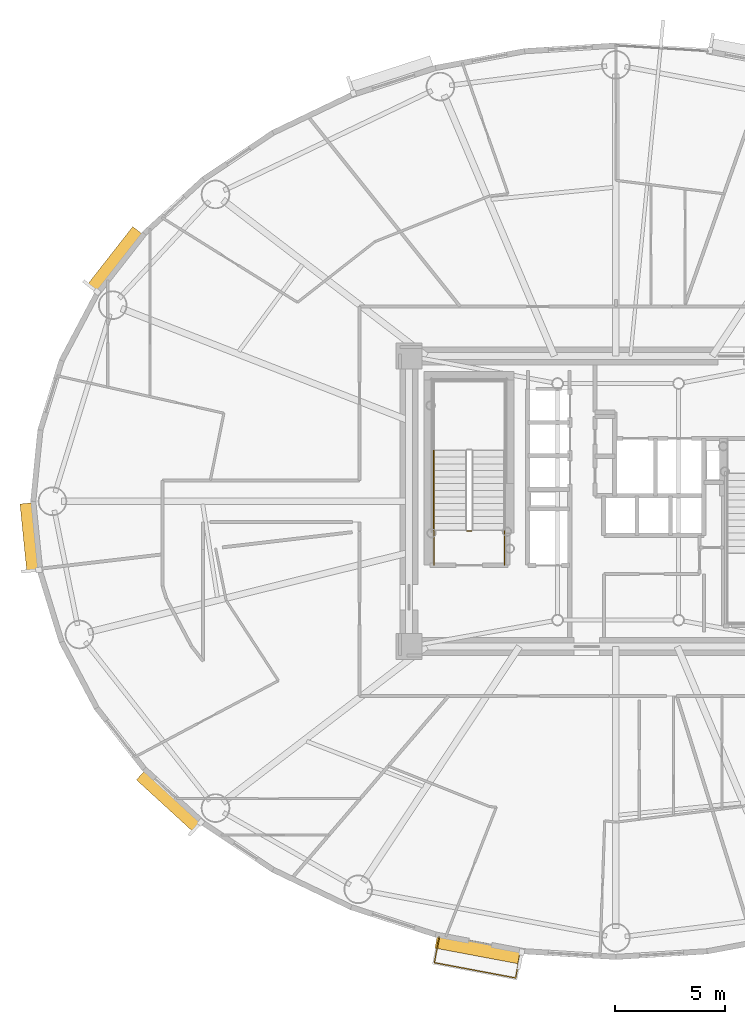
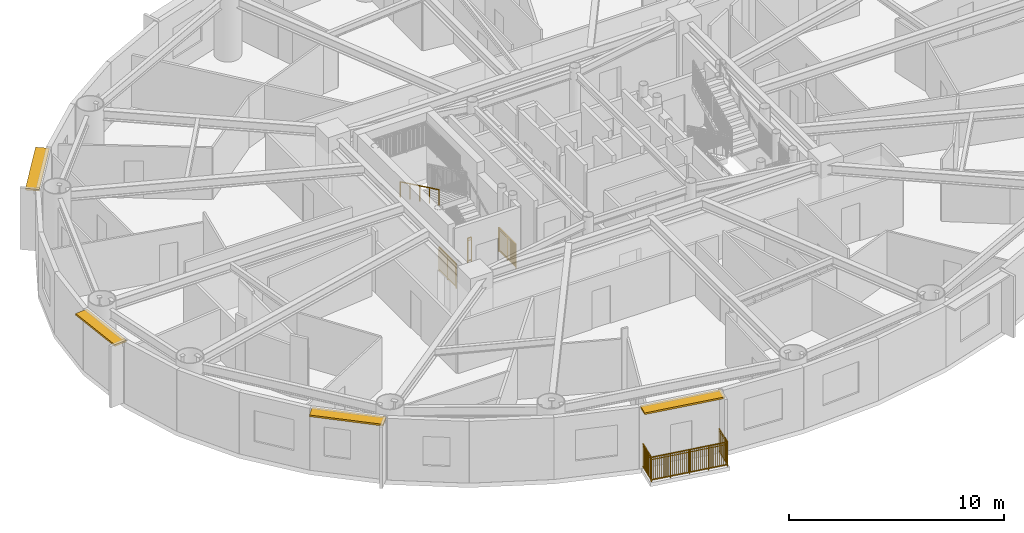
# One storey, part 12 of 17: 5 railings, 4 shading devices.
"""IFC4 building model written with IfcOpenShell, lengths in metres."""

from ifc_helpers import new_model, si_unit, direction, frame, origin, origin_2d, place, context, subcontext, project, spatial, rectangle, extrude, source, transform, mapped, material, layer, layer_set, type_object, element, save


model = new_model("IFC4")

# Units and contexts
model_context = context("Model", 3, precision=1e-05, world=origin(), true_north=direction((0.0, 1.0)))
body_context = subcontext(model_context, "Body", "Model", "MODEL_VIEW")
ifc_project = project(units=[si_unit("LENGTHUNIT", "METRE"), si_unit("AREAUNIT", "SQUARE_METRE"), si_unit("VOLUMEUNIT", "CUBIC_METRE"), si_unit("PLANEANGLEUNIT", "RADIAN"), si_unit("MASSUNIT", "GRAM", prefix="KILO")], contexts=[model_context])

# Site, building, storey
site_placement = place(None, origin())
site = spatial("IfcSite", under=ifc_project, at=site_placement, CompositionType="ELEMENT")
building_placement = place(site_placement, origin())
building = spatial("IfcBuilding", under=site, at=building_placement, Name="Linh Dai School and Residence Tower", CompositionType="ELEMENT")
storey_placement = place(building_placement, frame((0.0, 0.0, 182.39990234375)))
storey = spatial("IfcBuildingStorey", under=building, at=storey_placement, Name="L44", CompositionType="ELEMENT", Elevation=182.39990234375)

# Shading devices
ifc_material_1 = material(Name="Terracotta Ceramic Sunshade", Category="masonry")
ifc_layer = layer(ifc_material_1, 0.10009765625)
ifc_layer_set = layer_set([ifc_layer], Name="Terracotta Ceramic Sunshade")
shading_device_type = type_object("IfcShadingDeviceType", Name="SHD-TC-650", PredefinedType="USERDEFINED", material=ifc_layer_set)
shared_shape_1 = source(origin(), body_context, "Body", "SweptSolid", [
    extrude(rectangle(XDim=3.1201171875, YDim=0.64990234375, at=origin_2d()), origin(), (0.0, 0.0, 1.0), 0.10009765625),
])
shading_device_1_placement = place(storey_placement, frame((9.40380859375, 25.354736328125, 3.380126953125), z_axis=(0.0, 0.0, 1.0), x_axis=(-0.100001796141, 0.994987256586, 0.0)))
element("IfcShadingDevice", 1, at=shading_device_1_placement, inside=storey, type_object=shading_device_type, Name="L44 Terracotta Horizontal Sunshade Band 21", ObjectType="SUNSHADE", PredefinedType="USERDEFINED", context=body_context, shape_type="MappedRepresentation", body=[
    mapped(shared_shape_1, transform((0.0, 0.0, 0.0), x_axis=(1.0, 0.0, 0.0), y_axis=(0.0, 1.0, 0.0), z_axis=(0.0, 0.0, 1.0), scale=1.0)),
])
shared_shape_2 = source(origin(), body_context, "Body", "SweptSolid", [
    extrude(rectangle(XDim=3.51171875, YDim=0.64990234375, at=origin_2d()), origin(), (0.0, 0.0, 1.0), 0.10009765625),
])
shading_device_2_placement = place(storey_placement, frame((15.727294921875, 13.395263671875, 3.380126953125), z_axis=(0.0, 0.0, 1.0), x_axis=(-0.737085029426, 0.67580001435, 0.0)))
element("IfcShadingDevice", 2, at=shading_device_2_placement, inside=storey, type_object=shading_device_type, Name="L44 Terracotta Horizontal Sunshade Band 25", ObjectType="SUNSHADE", PredefinedType="USERDEFINED", context=body_context, shape_type="MappedRepresentation", body=[
    mapped(shared_shape_2, transform((0.0, 0.0, 0.0), x_axis=(1.0, 0.0, 0.0), y_axis=(0.0, 1.0, 0.0), z_axis=(0.0, 0.0, 1.0), scale=1.0)),
])
shared_shape_3 = source(origin(), body_context, "Body", "SweptSolid", [
    extrude(rectangle(XDim=3.949462890625, YDim=0.64990234375, at=origin_2d()), origin(), (0.0, 0.0, 1.0), 0.10009765625),
])
shading_device_3_placement = place(storey_placement, frame((29.780029296875, 6.650390625, 3.380126953125), z_axis=(0.0, 0.0, 1.0), x_axis=(-0.982783192645, 0.184762540184, 0.0)))
element("IfcShadingDevice", 3, at=shading_device_3_placement, inside=storey, type_object=shading_device_type, Name="L44 Terracotta Horizontal Sunshade Band 29", ObjectType="SUNSHADE", PredefinedType="USERDEFINED", context=body_context, shape_type="MappedRepresentation", body=[
    mapped(shared_shape_3, transform((0.0, 0.0, 0.0), x_axis=(1.0, 0.0, 0.0), y_axis=(0.0, 1.0, 0.0), z_axis=(0.0, 0.0, 1.0), scale=1.0)),
])
shared_shape_4 = source(origin(), body_context, "Body", "SweptSolid", [
    extrude(rectangle(XDim=3.376708984375, YDim=0.64990234375, at=origin_2d()), origin(), (0.0, 0.0, 1.0), 0.10009765625),
])
shading_device_4_placement = place(storey_placement, frame((13.263427734375, 37.94921875, 3.380126953125), z_axis=(0.0, 0.0, 1.0), x_axis=(0.616286337798, 0.787522158319, 0.0)))
element("IfcShadingDevice", 4, at=shading_device_4_placement, inside=storey, type_object=shading_device_type, Name="L44 Terracotta Horizontal Sunshade Band 17", ObjectType="SUNSHADE", PredefinedType="USERDEFINED", context=body_context, shape_type="MappedRepresentation", body=[
    mapped(shared_shape_4, transform((0.0, 0.0, 0.0), x_axis=(1.0, 0.0, 0.0), y_axis=(0.0, 1.0, 0.0), z_axis=(0.0, 0.0, 1.0), scale=1.0)),
])

# Railings
ifc_material_2 = material(Name="Structural Steel S355JR", Category="steel")
railing_type_1 = type_object("IfcRailingType", Name="RL-BAL-1400", PredefinedType="BALUSTRADE", material=ifc_material_2)
shared_shape_5 = source(origin(), body_context, "Body", "SweptSolid", [
    extrude(rectangle(XDim=0.048095703125, YDim=0.048095703125, at=origin_2d()), frame((0.0, 0.0, 1.3759765625), z_axis=(-0.18476321632, -0.982783065531, 0.0), x_axis=(0.982783065531, -0.18476321632, 0.0)), (0.0, 0.0, 1.0), 1.179931640625),
    extrude(rectangle(XDim=0.048095703125, YDim=0.048095703125, at=origin_2d()), frame((0.0, 0.0, 0.10009765625), z_axis=(-0.18476321632, -0.982783065531, 0.0), x_axis=(0.982783065531, -0.18476321632, 0.0)), (0.0, 0.0, 1.0), 1.179931640625),
    extrude(rectangle(XDim=0.030029296875, YDim=0.030029296875, at=origin_2d()), frame((0.0, 0.0, 1.239990234375), z_axis=(-0.18476321632, -0.982783065531, 0.0), x_axis=(0.982783065531, -0.18476321632, 0.0)), (0.0, 0.0, 1.0), 1.179931640625),
    extrude(rectangle(XDim=0.02001953125, YDim=0.02001953125, at=origin_2d()), frame((-0.016845703125, -0.089111328125, 0.10009765625)), (0.0, 0.0, 1.0), 1.251708984375),
    extrude(rectangle(XDim=0.02001953125, YDim=0.02001953125, at=origin_2d()), frame((-0.033447265625, -0.178466796875, 0.10009765625)), (0.0, 0.0, 1.0), 1.251708984375),
    extrude(rectangle(XDim=0.02001953125, YDim=0.02001953125, at=origin_2d()), frame((-0.05029296875, -0.267578125, 0.10009765625)), (0.0, 0.0, 1.0), 1.251708984375),
    extrude(rectangle(XDim=0.02001953125, YDim=0.02001953125, at=origin_2d()), frame((-0.067138671875, -0.35693359375, 0.10009765625)), (0.0, 0.0, 1.0), 1.251708984375),
    extrude(rectangle(XDim=0.02001953125, YDim=0.02001953125, at=origin_2d()), frame((-0.083740234375, -0.446044921875, 0.10009765625)), (0.0, 0.0, 1.0), 1.251708984375),
    extrude(rectangle(XDim=0.02001953125, YDim=0.02001953125, at=origin_2d()), frame((-0.1005859375, -0.53515625, 0.10009765625)), (0.0, 0.0, 1.0), 1.251708984375),
    extrude(rectangle(XDim=0.02001953125, YDim=0.02001953125, at=origin_2d()), frame((-0.117431640625, -0.62451171875, 0.10009765625)), (0.0, 0.0, 1.0), 1.251708984375),
    extrude(rectangle(XDim=0.02001953125, YDim=0.02001953125, at=origin_2d()), frame((-0.13427734375, -0.713623046875, 0.10009765625)), (0.0, 0.0, 1.0), 1.251708984375),
    extrude(rectangle(XDim=0.02001953125, YDim=0.02001953125, at=origin_2d()), frame((-0.15087890625, -0.802734375, 0.10009765625)), (0.0, 0.0, 1.0), 1.251708984375),
    extrude(rectangle(XDim=0.02001953125, YDim=0.02001953125, at=origin_2d()), frame((-0.167724609375, -0.89208984375, 0.10009765625)), (0.0, 0.0, 1.0), 1.251708984375),
    extrude(rectangle(XDim=0.02001953125, YDim=0.02001953125, at=origin_2d()), frame((-0.1845703125, -0.981201171875, 0.10009765625)), (0.0, 0.0, 1.0), 1.251708984375),
    extrude(rectangle(XDim=0.02001953125, YDim=0.02001953125, at=origin_2d()), frame((-0.201171875, -1.070556640625, 0.10009765625)), (0.0, 0.0, 1.0), 1.251708984375),
    extrude(rectangle(XDim=0.048095703125, YDim=0.048095703125, at=origin_2d()), frame((-0.218017578125, -1.15966796875, 1.3759765625), z_axis=(-0.982783726823, 0.184759698776, 0.0), x_axis=(-0.184759698776, -0.982783726823, 0.0)), (0.0, 0.0, 1.0), 3.754150390625),
    extrude(rectangle(XDim=0.048095703125, YDim=0.048095703125, at=origin_2d()), frame((-0.218017578125, -1.15966796875, 0.10009765625), z_axis=(-0.982783726823, 0.184759698776, 0.0), x_axis=(-0.184759698776, -0.982783726823, 0.0)), (0.0, 0.0, 1.0), 3.754150390625),
    extrude(rectangle(XDim=0.030029296875, YDim=0.030029296875, at=origin_2d()), frame((-0.218017578125, -1.15966796875, 1.239990234375), z_axis=(-0.982783726823, 0.184759698776, 0.0), x_axis=(-0.184759698776, -0.982783726823, 0.0)), (0.0, 0.0, 1.0), 3.754150390625),
    extrude(rectangle(XDim=0.02001953125, YDim=0.02001953125, at=origin_2d()), frame((-0.3125, -1.141845703125, 0.10009765625)), (0.0, 0.0, 1.0), 1.251708984375),
    extrude(rectangle(XDim=0.02001953125, YDim=0.02001953125, at=origin_2d()), frame((-0.4072265625, -1.1240234375, 0.10009765625)), (0.0, 0.0, 1.0), 1.251708984375),
    extrude(rectangle(XDim=0.02001953125, YDim=0.02001953125, at=origin_2d()), frame((-0.501708984375, -1.106201171875, 0.10009765625)), (0.0, 0.0, 1.0), 1.251708984375),
    extrude(rectangle(XDim=0.02001953125, YDim=0.02001953125, at=origin_2d()), frame((-0.596435546875, -1.088623046875, 0.10009765625)), (0.0, 0.0, 1.0), 1.251708984375),
    extrude(rectangle(XDim=0.02001953125, YDim=0.02001953125, at=origin_2d()), frame((-0.69091796875, -1.07080078125, 0.10009765625)), (0.0, 0.0, 1.0), 1.251708984375),
    extrude(rectangle(XDim=0.02001953125, YDim=0.02001953125, at=origin_2d()), frame((-0.78564453125, -1.052978515625, 0.10009765625)), (0.0, 0.0, 1.0), 1.251708984375),
    extrude(rectangle(XDim=0.02001953125, YDim=0.02001953125, at=origin_2d()), frame((-0.880126953125, -1.03515625, 0.10009765625)), (0.0, 0.0, 1.0), 1.251708984375),
    extrude(rectangle(XDim=0.02001953125, YDim=0.02001953125, at=origin_2d()), frame((-0.974853515625, -1.017333984375, 0.10009765625)), (0.0, 0.0, 1.0), 1.251708984375),
    extrude(rectangle(XDim=0.02001953125, YDim=0.02001953125, at=origin_2d()), frame((-1.0693359375, -0.99951171875, 0.10009765625)), (0.0, 0.0, 1.0), 1.251708984375),
    extrude(rectangle(XDim=0.02001953125, YDim=0.02001953125, at=origin_2d()), frame((-1.258544921875, -0.964111328125, 0.10009765625)), (0.0, 0.0, 1.0), 1.251708984375),
    extrude(rectangle(XDim=0.02001953125, YDim=0.02001953125, at=origin_2d()), frame((-1.353271484375, -0.9462890625, 0.10009765625)), (0.0, 0.0, 1.0), 1.251708984375),
    extrude(rectangle(XDim=0.02001953125, YDim=0.02001953125, at=origin_2d()), frame((-1.44775390625, -0.928466796875, 0.10009765625)), (0.0, 0.0, 1.0), 1.251708984375),
    extrude(rectangle(XDim=0.02001953125, YDim=0.02001953125, at=origin_2d()), frame((-1.54248046875, -0.91064453125, 0.10009765625)), (0.0, 0.0, 1.0), 1.251708984375),
    extrude(rectangle(XDim=0.02001953125, YDim=0.02001953125, at=origin_2d()), frame((-1.636962890625, -0.892822265625, 0.10009765625)), (0.0, 0.0, 1.0), 1.251708984375),
    extrude(rectangle(XDim=0.02001953125, YDim=0.02001953125, at=origin_2d()), frame((-1.731689453125, -0.875, 0.10009765625)), (0.0, 0.0, 1.0), 1.251708984375),
    extrude(rectangle(XDim=0.02001953125, YDim=0.02001953125, at=origin_2d()), frame((-1.826171875, -0.857421875, 0.10009765625)), (0.0, 0.0, 1.0), 1.251708984375),
    extrude(rectangle(XDim=0.02001953125, YDim=0.02001953125, at=origin_2d()), frame((-1.9208984375, -0.839599609375, 0.10009765625)), (0.0, 0.0, 1.0), 1.251708984375),
    extrude(rectangle(XDim=0.02001953125, YDim=0.02001953125, at=origin_2d()), frame((-2.015380859375, -0.82177734375, 0.10009765625)), (0.0, 0.0, 1.0), 1.251708984375),
    extrude(rectangle(XDim=0.02001953125, YDim=0.02001953125, at=origin_2d()), frame((-2.110107421875, -0.803955078125, 0.10009765625)), (0.0, 0.0, 1.0), 1.251708984375),
    extrude(rectangle(XDim=0.02001953125, YDim=0.02001953125, at=origin_2d()), frame((-2.20458984375, -0.7861328125, 0.10009765625)), (0.0, 0.0, 1.0), 1.251708984375),
    extrude(rectangle(XDim=0.02001953125, YDim=0.02001953125, at=origin_2d()), frame((-2.29931640625, -0.768310546875, 0.10009765625)), (0.0, 0.0, 1.0), 1.251708984375),
    extrude(rectangle(XDim=0.02001953125, YDim=0.02001953125, at=origin_2d()), frame((-2.393798828125, -0.750732421875, 0.10009765625)), (0.0, 0.0, 1.0), 1.251708984375),
    extrude(rectangle(XDim=0.02001953125, YDim=0.02001953125, at=origin_2d()), frame((-2.488525390625, -0.73291015625, 0.10009765625)), (0.0, 0.0, 1.0), 1.251708984375),
    extrude(rectangle(XDim=0.02001953125, YDim=0.02001953125, at=origin_2d()), frame((-2.5830078125, -0.715087890625, 0.10009765625)), (0.0, 0.0, 1.0), 1.251708984375),
    extrude(rectangle(XDim=0.02001953125, YDim=0.02001953125, at=origin_2d()), frame((-2.677734375, -0.697265625, 0.10009765625)), (0.0, 0.0, 1.0), 1.251708984375),
    extrude(rectangle(XDim=0.02001953125, YDim=0.02001953125, at=origin_2d()), frame((-2.772216796875, -0.679443359375, 0.10009765625)), (0.0, 0.0, 1.0), 1.251708984375),
    extrude(rectangle(XDim=0.02001953125, YDim=0.02001953125, at=origin_2d()), frame((-2.866943359375, -0.66162109375, 0.10009765625)), (0.0, 0.0, 1.0), 1.251708984375),
    extrude(rectangle(XDim=0.02001953125, YDim=0.02001953125, at=origin_2d()), frame((-3.05615234375, -0.626220703125, 0.10009765625)), (0.0, 0.0, 1.0), 1.251708984375),
    extrude(rectangle(XDim=0.02001953125, YDim=0.02001953125, at=origin_2d()), frame((-3.150634765625, -0.6083984375, 0.10009765625)), (0.0, 0.0, 1.0), 1.251708984375),
    extrude(rectangle(XDim=0.02001953125, YDim=0.02001953125, at=origin_2d()), frame((-3.245361328125, -0.590576171875, 0.10009765625)), (0.0, 0.0, 1.0), 1.251708984375),
    extrude(rectangle(XDim=0.02001953125, YDim=0.02001953125, at=origin_2d()), frame((-3.33984375, -0.57275390625, 0.10009765625)), (0.0, 0.0, 1.0), 1.251708984375),
    extrude(rectangle(XDim=0.02001953125, YDim=0.02001953125, at=origin_2d()), frame((-3.4345703125, -0.554931640625, 0.10009765625)), (0.0, 0.0, 1.0), 1.251708984375),
    extrude(rectangle(XDim=0.02001953125, YDim=0.02001953125, at=origin_2d()), frame((-3.529052734375, -0.537109375, 0.10009765625)), (0.0, 0.0, 1.0), 1.251708984375),
    extrude(rectangle(XDim=0.02001953125, YDim=0.02001953125, at=origin_2d()), frame((-3.623779296875, -0.51953125, 0.10009765625)), (0.0, 0.0, 1.0), 1.251708984375),
    extrude(rectangle(XDim=0.02001953125, YDim=0.02001953125, at=origin_2d()), frame((-3.71826171875, -0.501708984375, 0.10009765625)), (0.0, 0.0, 1.0), 1.251708984375),
    extrude(rectangle(XDim=0.02001953125, YDim=0.02001953125, at=origin_2d()), frame((-3.81298828125, -0.48388671875, 0.10009765625)), (0.0, 0.0, 1.0), 1.251708984375),
    extrude(rectangle(XDim=0.048095703125, YDim=0.048095703125, at=origin_2d()), frame((-3.907470703125, -0.466064453125, 1.3759765625), z_axis=(0.18476321632, 0.982783065531, 0.0), x_axis=(-0.982783065531, 0.18476321632, 0.0)), (0.0, 0.0, 1.0), 1.179931640625),
    extrude(rectangle(XDim=0.048095703125, YDim=0.048095703125, at=origin_2d()), frame((-3.907470703125, -0.466064453125, 0.10009765625), z_axis=(0.18476321632, 0.982783065531, 0.0), x_axis=(-0.982783065531, 0.18476321632, 0.0)), (0.0, 0.0, 1.0), 1.179931640625),
    extrude(rectangle(XDim=0.030029296875, YDim=0.030029296875, at=origin_2d()), frame((-3.907470703125, -0.466064453125, 1.239990234375), z_axis=(0.18476321632, 0.982783065531, 0.0), x_axis=(-0.982783065531, 0.18476321632, 0.0)), (0.0, 0.0, 1.0), 1.179931640625),
    extrude(rectangle(XDim=0.02001953125, YDim=0.02001953125, at=origin_2d()), frame((-3.890625, -0.376953125, 0.10009765625)), (0.0, 0.0, 1.0), 1.251708984375),
    extrude(rectangle(XDim=0.02001953125, YDim=0.02001953125, at=origin_2d()), frame((-3.8740234375, -0.28759765625, 0.10009765625)), (0.0, 0.0, 1.0), 1.251708984375),
    extrude(rectangle(XDim=0.02001953125, YDim=0.02001953125, at=origin_2d()), frame((-3.857177734375, -0.198486328125, 0.10009765625)), (0.0, 0.0, 1.0), 1.251708984375),
    extrude(rectangle(XDim=0.02001953125, YDim=0.02001953125, at=origin_2d()), frame((-3.84033203125, -0.109130859375, 0.10009765625)), (0.0, 0.0, 1.0), 1.251708984375),
    extrude(rectangle(XDim=0.02001953125, YDim=0.02001953125, at=origin_2d()), frame((-3.82373046875, -0.02001953125, 0.10009765625)), (0.0, 0.0, 1.0), 1.251708984375),
    extrude(rectangle(XDim=0.02001953125, YDim=0.02001953125, at=origin_2d()), frame((-3.806884765625, 0.069091796875, 0.10009765625)), (0.0, 0.0, 1.0), 1.251708984375),
    extrude(rectangle(XDim=0.02001953125, YDim=0.02001953125, at=origin_2d()), frame((-3.7900390625, 0.158447265625, 0.10009765625)), (0.0, 0.0, 1.0), 1.251708984375),
    extrude(rectangle(XDim=0.02001953125, YDim=0.02001953125, at=origin_2d()), frame((-3.773193359375, 0.24755859375, 0.10009765625)), (0.0, 0.0, 1.0), 1.251708984375),
    extrude(rectangle(XDim=0.02001953125, YDim=0.02001953125, at=origin_2d()), frame((-3.756591796875, 0.336669921875, 0.10009765625)), (0.0, 0.0, 1.0), 1.251708984375),
    extrude(rectangle(XDim=0.02001953125, YDim=0.02001953125, at=origin_2d()), frame((-3.73974609375, 0.426025390625, 0.10009765625)), (0.0, 0.0, 1.0), 1.251708984375),
    extrude(rectangle(XDim=0.02001953125, YDim=0.02001953125, at=origin_2d()), frame((-3.722900390625, 0.51513671875, 0.10009765625)), (0.0, 0.0, 1.0), 1.251708984375),
    extrude(rectangle(XDim=0.02001953125, YDim=0.02001953125, at=origin_2d()), frame((-3.706298828125, 0.6044921875, 0.10009765625)), (0.0, 0.0, 1.0), 1.251708984375),
    extrude(rectangle(XDim=0.0419921875, YDim=0.0419921875, at=origin_2d()), origin(), (0.0, 0.0, 1.0), 1.3759765625),
    extrude(rectangle(XDim=0.0419921875, YDim=0.0419921875, at=origin_2d()), frame((-0.218017578125, -1.15966796875, 0.0)), (0.0, 0.0, 1.0), 1.3759765625),
    extrude(rectangle(XDim=0.0419921875, YDim=0.0419921875, at=origin_2d()), frame((-1.140380859375, -0.986328125, 0.0)), (0.0, 0.0, 1.0), 1.3759765625),
    extrude(rectangle(XDim=0.0419921875, YDim=0.0419921875, at=origin_2d()), frame((-2.062744140625, -0.81298828125, 0.0)), (0.0, 0.0, 1.0), 1.3759765625),
    extrude(rectangle(XDim=0.0419921875, YDim=0.0419921875, at=origin_2d()), frame((-2.985107421875, -0.639404296875, 0.0)), (0.0, 0.0, 1.0), 1.3759765625),
    extrude(rectangle(XDim=0.0419921875, YDim=0.0419921875, at=origin_2d()), frame((-3.907470703125, -0.466064453125, 0.0)), (0.0, 0.0, 1.0), 1.3759765625),
    extrude(rectangle(XDim=0.0419921875, YDim=0.0419921875, at=origin_2d()), frame((-3.689453125, 0.693603515625, 0.0)), (0.0, 0.0, 1.0), 1.3759765625),
])
railing_1_placement = place(storey_placement, frame((31.66162109375, 6.500244140625, 0.0)))
element("IfcRailing", 5, at=railing_1_placement, inside=storey, type_object=railing_type_1, Name="L44 Balcony Safety Balustrade 29", PredefinedType="BALUSTRADE", context=body_context, shape_type="MappedRepresentation", body=[
    mapped(shared_shape_5, transform((0.0, 0.0, 0.0), x_axis=(1.0, 0.0, 0.0), y_axis=(0.0, 1.0, 0.0), z_axis=(0.0, 0.0, 1.0), scale=1.0)),
])
railing_type_2 = type_object("IfcRailingType", Name="RL-ST-GUARD-1400", PredefinedType="GUARDRAIL", material=ifc_material_2)
shared_shape_6 = source(origin(), body_context, "Body", "SweptSolid", [
    extrude(rectangle(XDim=0.048095703125, YDim=0.048095703125, at=origin_2d()), frame((0.0, 0.0, 1.3759765625), z_axis=(-1.0, 0.0, 0.0), x_axis=(0.0, -1.0, 0.0)), (0.0, 0.0, 1.0), 0.199951171875),
    extrude(rectangle(XDim=0.048095703125, YDim=0.048095703125, at=origin_2d()), frame((0.0, 0.0, 0.10009765625), z_axis=(-1.0, 0.0, 0.0), x_axis=(0.0, -1.0, 0.0)), (0.0, 0.0, 1.0), 0.199951171875),
    extrude(rectangle(XDim=0.030029296875, YDim=0.030029296875, at=origin_2d()), frame((0.0, 0.0, 1.239990234375), z_axis=(-1.0, 0.0, 0.0), x_axis=(0.0, -1.0, 0.0)), (0.0, 0.0, 1.0), 0.199951171875),
    extrude(rectangle(XDim=0.0419921875, YDim=0.0419921875, at=origin_2d()), origin(), (0.0, 0.0, 1.0), 1.3759765625),
    extrude(rectangle(XDim=0.0419921875, YDim=0.0419921875, at=origin_2d()), frame((-0.199951171875, 0.0, 0.0)), (0.0, 0.0, 1.0), 1.3759765625),
])
railing_2_placement = place(storey_placement, frame((29.429931640625, 25.64990234375, 0.0)))
element("IfcRailing", 6, at=railing_2_placement, inside=storey, type_object=railing_type_2, Name="L44 ST1 stair guard 7", PredefinedType="GUARDRAIL", context=body_context, shape_type="MappedRepresentation", body=[
    mapped(shared_shape_6, transform((0.0, 0.0, 0.0), x_axis=(1.0, 0.0, 0.0), y_axis=(0.0, 1.0, 0.0), z_axis=(0.0, 0.0, 1.0), scale=1.0)),
])
shared_shape_7 = source(origin(), body_context, "Body", "SweptSolid", [
    extrude(rectangle(XDim=0.048095703125, YDim=0.048095703125, at=origin_2d()), frame((0.0, 0.0, 1.3759765625), z_axis=(0.0, 1.0, 0.0), x_axis=(-1.0, 0.0, 0.0)), (0.0, 0.0, 1.0), 1.599853515625),
    extrude(rectangle(XDim=0.048095703125, YDim=0.048095703125, at=origin_2d()), frame((0.0, 0.0, 0.10009765625), z_axis=(0.0, 1.0, 0.0), x_axis=(-1.0, 0.0, 0.0)), (0.0, 0.0, 1.0), 1.599853515625),
    extrude(rectangle(XDim=0.030029296875, YDim=0.030029296875, at=origin_2d()), frame((0.0, 0.0, 1.239990234375), z_axis=(0.0, 1.0, 0.0), x_axis=(-1.0, 0.0, 0.0)), (0.0, 0.0, 1.0), 1.599853515625),
    extrude(rectangle(XDim=0.02001953125, YDim=0.02001953125, at=origin_2d()), frame((0.0, 0.093994140625, 0.10009765625)), (0.0, 0.0, 1.0), 1.251708984375),
    extrude(rectangle(XDim=0.02001953125, YDim=0.02001953125, at=origin_2d()), frame((0.0, 0.188232421875, 0.10009765625)), (0.0, 0.0, 1.0), 1.251708984375),
    extrude(rectangle(XDim=0.02001953125, YDim=0.02001953125, at=origin_2d()), frame((0.0, 0.2822265625, 0.10009765625)), (0.0, 0.0, 1.0), 1.251708984375),
    extrude(rectangle(XDim=0.02001953125, YDim=0.02001953125, at=origin_2d()), frame((0.0, 0.37646484375, 0.10009765625)), (0.0, 0.0, 1.0), 1.251708984375),
    extrude(rectangle(XDim=0.02001953125, YDim=0.02001953125, at=origin_2d()), frame((0.0, 0.470458984375, 0.10009765625)), (0.0, 0.0, 1.0), 1.251708984375),
    extrude(rectangle(XDim=0.02001953125, YDim=0.02001953125, at=origin_2d()), frame((0.0, 0.564697265625, 0.10009765625)), (0.0, 0.0, 1.0), 1.251708984375),
    extrude(rectangle(XDim=0.02001953125, YDim=0.02001953125, at=origin_2d()), frame((0.0, 0.65869140625, 0.10009765625)), (0.0, 0.0, 1.0), 1.251708984375),
    extrude(rectangle(XDim=0.02001953125, YDim=0.02001953125, at=origin_2d()), frame((0.0, 0.7529296875, 0.10009765625)), (0.0, 0.0, 1.0), 1.251708984375),
    extrude(rectangle(XDim=0.02001953125, YDim=0.02001953125, at=origin_2d()), frame((0.0, 0.846923828125, 0.10009765625)), (0.0, 0.0, 1.0), 1.251708984375),
    extrude(rectangle(XDim=0.02001953125, YDim=0.02001953125, at=origin_2d()), frame((0.0, 0.941162109375, 0.10009765625)), (0.0, 0.0, 1.0), 1.251708984375),
    extrude(rectangle(XDim=0.02001953125, YDim=0.02001953125, at=origin_2d()), frame((0.0, 1.03515625, 0.10009765625)), (0.0, 0.0, 1.0), 1.251708984375),
    extrude(rectangle(XDim=0.02001953125, YDim=0.02001953125, at=origin_2d()), frame((0.0, 1.12939453125, 0.10009765625)), (0.0, 0.0, 1.0), 1.251708984375),
    extrude(rectangle(XDim=0.02001953125, YDim=0.02001953125, at=origin_2d()), frame((0.0, 1.223388671875, 0.10009765625)), (0.0, 0.0, 1.0), 1.251708984375),
    extrude(rectangle(XDim=0.02001953125, YDim=0.02001953125, at=origin_2d()), frame((0.0, 1.317626953125, 0.10009765625)), (0.0, 0.0, 1.0), 1.251708984375),
    extrude(rectangle(XDim=0.02001953125, YDim=0.02001953125, at=origin_2d()), frame((0.0, 1.41162109375, 0.10009765625)), (0.0, 0.0, 1.0), 1.251708984375),
    extrude(rectangle(XDim=0.02001953125, YDim=0.02001953125, at=origin_2d()), frame((0.0, 1.505859375, 0.10009765625)), (0.0, 0.0, 1.0), 1.251708984375),
    extrude(rectangle(XDim=0.0419921875, YDim=0.0419921875, at=origin_2d()), origin(), (0.0, 0.0, 1.0), 1.3759765625),
    extrude(rectangle(XDim=0.0419921875, YDim=0.0419921875, at=origin_2d()), frame((0.0, 0.7998046875, 0.0)), (0.0, 0.0, 1.0), 1.3759765625),
    extrude(rectangle(XDim=0.0419921875, YDim=0.0419921875, at=origin_2d()), frame((0.0, 1.599853515625, 0.0)), (0.0, 0.0, 1.0), 1.3759765625),
])
for number, where, name in (
    (7, (30.929931640625, 24.10009765625, 0.0), "L44 ST1 stair guard 8"),
    (8, (27.72998046875, 24.10009765625, 0.0), "L44 ST1 stair guard 9"),
):
    element("IfcRailing", number, at=place(storey_placement, frame(where)), inside=storey, type_object=railing_type_2, Name=name, PredefinedType="GUARDRAIL", context=body_context, shape_type="MappedRepresentation", body=[
        mapped(shared_shape_7, transform((0.0, 0.0, 0.0), x_axis=(1.0, 0.0, 0.0), y_axis=(0.0, 1.0, 0.0), z_axis=(0.0, 0.0, 1.0), scale=1.0)),
    ])
ifc_material_3 = material(Name="Brushed Stainless Steel Handrail", Category="steel")
railing_type_3 = type_object("IfcRailingType", Name="RL-ST-HANDRAIL-900", PredefinedType="HANDRAIL", material=ifc_material_3)
shared_shape_8 = source(origin(), body_context, "Body", "SweptSolid", [
    extrude(rectangle(XDim=0.048095703125, YDim=0.048095703125, at=origin_2d()), frame((0.0, 0.0, 0.8759765625), z_axis=(0.0, -0.901262522062, 0.433273431364), x_axis=(1.0, 0.0, 0.0)), (0.0, 0.0, 1.0), 3.994384765625),
    extrude(rectangle(XDim=0.0419921875, YDim=0.0419921875, at=origin_2d()), origin(), (0.0, 0.0, 1.0), 0.8759765625),
    extrude(rectangle(XDim=0.0419921875, YDim=0.0419921875, at=origin_2d()), frame((0.0, -0.89990234375, 0.4326171875)), (0.0, 0.0, 1.0), 0.8759765625),
    extrude(rectangle(XDim=0.0419921875, YDim=0.0419921875, at=origin_2d()), frame((0.0, -1.800048828125, 0.865234375)), (0.0, 0.0, 1.0), 0.8759765625),
    extrude(rectangle(XDim=0.0419921875, YDim=0.0419921875, at=origin_2d()), frame((0.0, -2.7001953125, 1.298095703125)), (0.0, 0.0, 1.0), 0.8759765625),
    extrude(rectangle(XDim=0.0419921875, YDim=0.0419921875, at=origin_2d()), frame((0.0, -3.60009765625, 1.730712890625)), (0.0, 0.0, 1.0), 0.8759765625),
])
railing_3_placement = place(storey_placement, frame((27.72998046875, 29.300048828125, 2.019287109375)))
element("IfcRailing", 9, at=railing_3_placement, inside=storey, type_object=railing_type_3, Name="L44 ST1 stair handrail 2", PredefinedType="HANDRAIL", context=body_context, shape_type="MappedRepresentation", body=[
    mapped(shared_shape_8, transform((0.0, 0.0, 0.0), x_axis=(1.0, 0.0, 0.0), y_axis=(0.0, 1.0, 0.0), z_axis=(0.0, 0.0, 1.0), scale=1.0)),
])

save(model, "model.ifc")
